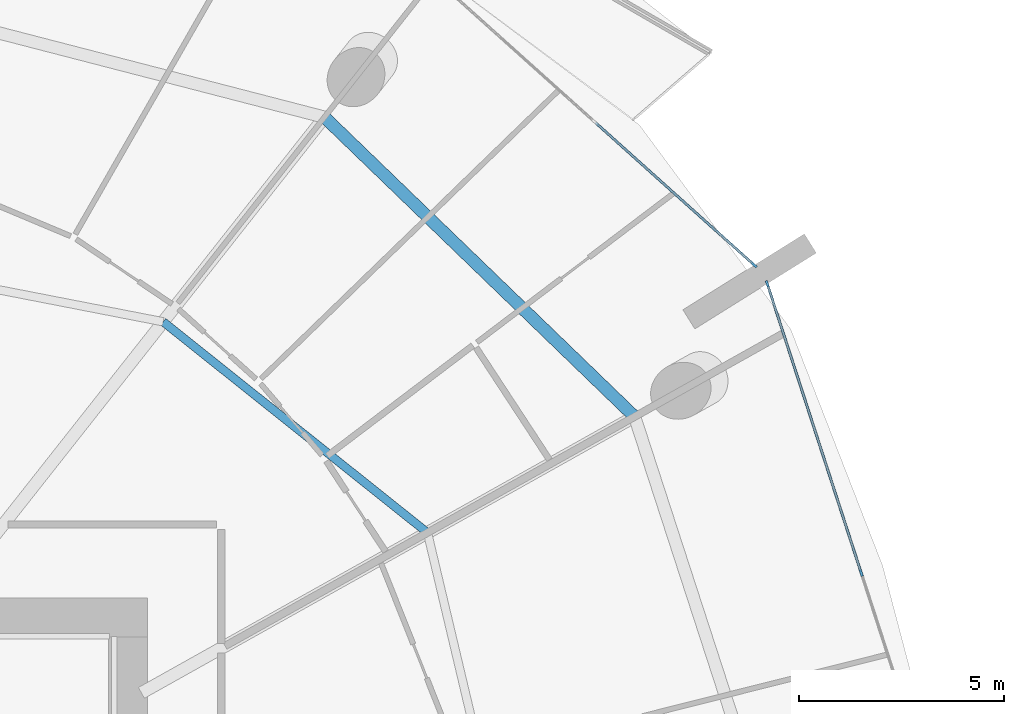
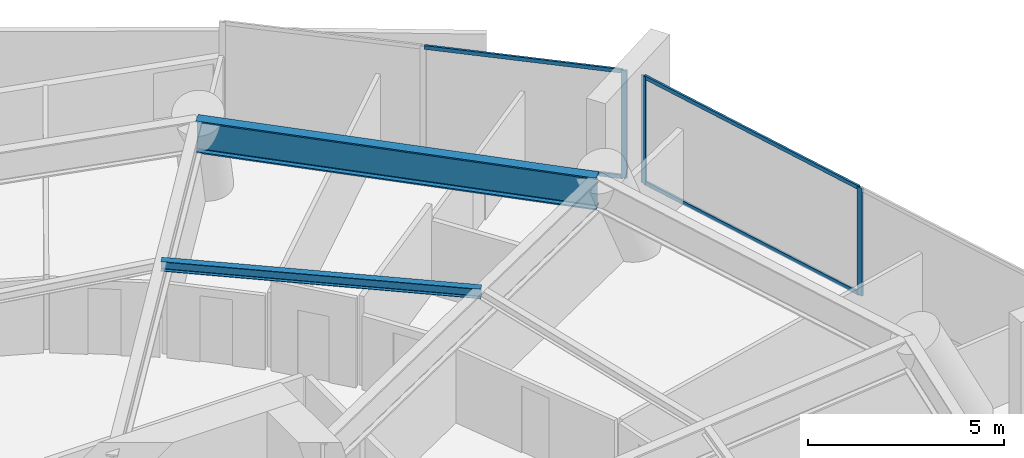
# One storey, part 14 of 31: 7 members, 2 beams, 2 elements without a shape of their own.
"""IFC4 building model written with IfcOpenShell, lengths in metres."""

from ifc_helpers import new_model, si_unit, direction, frame, origin, origin_2d, place, context, subcontext, project, spatial, rectangle, i_section, extrude, material, layer, layer_set, material_profile, profile_set, type_object, element, aggregate, save


model = new_model("IFC4")

# Units and contexts
model_context = context("Model", 3, precision=1e-05, world=origin(), true_north=direction((0.0, 1.0)))
body_context = subcontext(model_context, "Body", "Model", "MODEL_VIEW")
ifc_project = project(units=[si_unit("LENGTHUNIT", "METRE"), si_unit("AREAUNIT", "SQUARE_METRE"), si_unit("VOLUMEUNIT", "CUBIC_METRE"), si_unit("PLANEANGLEUNIT", "RADIAN"), si_unit("MASSUNIT", "GRAM", prefix="KILO")], contexts=[model_context])

# Site, building, storey
site_placement = place(None, origin())
site = spatial("IfcSite", under=ifc_project, at=site_placement, CompositionType="ELEMENT")
building_placement = place(site_placement, origin())
building = spatial("IfcBuilding", under=site, at=building_placement, Name="Kazma Halo Residences", CompositionType="ELEMENT")
storey_placement = place(building_placement, frame((0.0, 0.0, 71.39990234375)))
storey = spatial("IfcBuildingStorey", under=building, at=storey_placement, Name="L17", CompositionType="ELEMENT", Elevation=71.39990234375)

# Beams
ifc_material_1 = material(Name="Steel S355", Category="steel")
ifc_material_profile_1 = material_profile(ifc_material_1, i_section(OverallWidth=0.202880859375, OverallDepth=0.302978515625, WebThickness=0.007568359375, FlangeThickness=0.01318359375, FilletRadius=0.013916015625, at=origin_2d()), Name="W310x60")
ifc_profile_set_1 = profile_set([ifc_material_profile_1], Name="Steel S355")
beam_type_1 = type_object("IfcBeamType", Name="BM-SEC-W310A", PredefinedType="JOIST", material=ifc_profile_set_1)
beam_1_placement = place(storey_placement, frame((66.8408203125, 52.551513671875, 3.198486328125), z_axis=(-0.781666571511, 0.623696537575, 0.0), x_axis=(-0.623696537575, -0.781666571511, 0.0)))
element("IfcBeam", 1, at=beam_1_placement, inside=storey, type_object=beam_type_1, Name="L17 circumferential floor joist 01", PredefinedType="JOIST", context=body_context, shape_type="SweptSolid", body=[
    extrude(i_section(OverallWidth=0.202880859375, OverallDepth=0.302978515625, WebThickness=0.007568359375, FlangeThickness=0.01318359375, FilletRadius=0.013916015625, at=origin_2d()), origin(), (0.0, 0.0, 1.0), 8.263671875),
])
ifc_material_profile_2 = material_profile(ifc_material_1, i_section(OverallWidth=0.300048828125, OverallDepth=1.0, WebThickness=0.01904296875, FlangeThickness=0.0400390625, FilletRadius=0.02587890625, at=origin_2d()), Name="W1000x371")
ifc_profile_set_2 = profile_set([ifc_material_profile_2], Name="Steel S355")
beam_type_2 = type_object("IfcBeamType", Name="BM-TRANS-W1000B", PredefinedType="BEAM", material=ifc_profile_set_2)
beam_2_placement = place(storey_placement, frame((71.9033203125, 55.386474609375, 2.85009765625), z_axis=(-0.719336783114, 0.694661494873, 0.0), x_axis=(-0.694661494873, -0.719336783114, 0.0)))
element("IfcBeam", 2, at=beam_2_placement, inside=storey, type_object=beam_type_2, Name="L17 perimeter ring beam 01", PredefinedType="BEAM", context=body_context, shape_type="SweptSolid", body=[
    extrude(i_section(OverallWidth=0.300048828125, OverallDepth=1.0, WebThickness=0.01904296875, FlangeThickness=0.0400390625, FilletRadius=0.02587890625, at=origin_2d()), origin(), (0.0, 0.0, 1.0), 10.537353515625),
])

# Curtain wall, member
ifc_material_2 = material(Name="Aluminium AW-6063 T6 and Triple-Silver Low-E Glass", Category="aluminium")
ifc_layer = layer(ifc_material_2, 0.159912109375)
ifc_layer_set = layer_set([ifc_layer], Name="Aluminium AW-6063 T6 and Triple-Silver Low-E Glass")
curtain_wall_type = type_object("IfcCurtainWallType", Name="CW-SYS-2", PredefinedType="NOTDEFINED", material=ifc_layer_set)
curtain_wall_1_placement = place(storey_placement, origin())
curtain_wall_1 = element("IfcCurtainWall", 3, at=curtain_wall_1_placement, inside=storey, type_object=curtain_wall_type, Name="L17 unitised curtain wall B01", PredefinedType="NOTDEFINED")
ifc_material_3 = material(Name="Aluminium AW-6063 T6", Category="aluminium")
ifc_material_profile_3 = material_profile(ifc_material_3, rectangle(XDim=0.06005859375, YDim=0.159912109375, at=origin_2d()), Name="CWM-60x160")
ifc_profile_set_3 = profile_set([ifc_material_profile_3], Name="Aluminium AW-6063 T6")
member_type_1 = type_object("IfcMemberType", Name="CW-SYS-2-MUL", PredefinedType="MULLION", material=ifc_profile_set_3)
member_1_placement = place(storey_placement, frame((74.82666015625, 59.091796875, 0.0), z_axis=(0.0, 0.0, 1.0), x_axis=(-0.667821453854, -0.744321506993, 0.0)))
member_1 = element("IfcMember", 4, at=member_1_placement, type_object=member_type_1, Name="CWS-2 mullion 1", PredefinedType="MULLION", context=body_context, shape_type="SweptSolid", body=[
    extrude(rectangle(XDim=0.06005859375, YDim=0.159912109375, at=origin_2d()), origin(), (0.0, 0.0, 1.0), 3.35009765625),
])

# Curtain wall, members
curtain_wall_2_placement = place(storey_placement, origin())
curtain_wall_2 = element("IfcCurtainWall", 5, at=curtain_wall_2_placement, inside=storey, type_object=curtain_wall_type, Name="L17 unitised curtain wall B16", PredefinedType="NOTDEFINED")
member_2_placement = place(storey_placement, frame((77.44189453125, 51.56640625, 0.0), z_axis=(0.0, 0.0, 1.0), x_axis=(-0.95105652404, -0.309016970539, 0.0)))
member_2 = element("IfcMember", 6, at=member_2_placement, type_object=member_type_1, Name="CWS-2 mullion 2", PredefinedType="MULLION", context=body_context, shape_type="SweptSolid", body=[
    extrude(rectangle(XDim=0.06005859375, YDim=0.159912109375, at=origin_2d()), origin(), (0.0, 0.0, 1.0), 3.35009765625),
])
member_3_placement = place(storey_placement, frame((75.145751953125, 58.63330078125, 0.0), z_axis=(0.0, 0.0, 1.0), x_axis=(-0.95105652404, -0.309016970539, 0.0)))
member_3 = element("IfcMember", 7, at=member_3_placement, type_object=member_type_1, Name="CWS-2 mullion 3", PredefinedType="MULLION", context=body_context, shape_type="SweptSolid", body=[
    extrude(rectangle(XDim=0.06005859375, YDim=0.159912109375, at=origin_2d()), origin(), (0.0, 0.0, 1.0), 3.35009765625),
])

# Member
ifc_material_profile_4 = material_profile(ifc_material_3, rectangle(XDim=0.06005859375, YDim=0.1201171875, at=origin_2d()), Name="CWT-60x120")
ifc_profile_set_4 = profile_set([ifc_material_profile_4], Name="Aluminium AW-6063 T6")
member_type_2 = type_object("IfcMemberType", Name="CW-SYS-2-TRN", PredefinedType="USERDEFINED", material=ifc_profile_set_4)
member_4_placement = place(storey_placement, frame((74.80419921875, 59.11181640625, 0.030029296875), z_axis=(-0.744329408538, 0.66781264707, 0.0), x_axis=(-0.66781264707, -0.744329408538, 0.0)))
member_4 = element("IfcMember", 8, at=member_4_placement, type_object=member_type_2, Name="CWS-2 transom 1.1", ObjectType="TRANSOM", PredefinedType="USERDEFINED", context=body_context, shape_type="SweptSolid", body=[
    extrude(rectangle(XDim=0.06005859375, YDim=0.1201171875, at=origin_2d()), origin(), (0.0, 0.0, 1.0), 5.178466796875),
])

member_5_placement = place(storey_placement, frame((74.80419921875, 59.11181640625, 3.320068359375), z_axis=(-0.744329408538, 0.66781264707, 0.0), x_axis=(-0.66781264707, -0.744329408538, 0.0)))
member_5 = element("IfcMember", 9, at=member_5_placement, type_object=member_type_2, Name="CWS-2 transom 1.2", ObjectType="TRANSOM", PredefinedType="USERDEFINED", context=body_context, shape_type="SweptSolid", body=[
    extrude(rectangle(XDim=0.06005859375, YDim=0.1201171875, at=origin_2d()), origin(), (0.0, 0.0, 1.0), 5.178466796875),
])

aggregate(curtain_wall_1, [member_1, member_4, member_5])

member_6_placement = place(storey_placement, frame((77.4326171875, 51.5947265625, 0.030029296875), z_axis=(-0.309004433966, 0.951060597328, 0.0), x_axis=(-0.951060597328, -0.309004433966, 0.0)))
member_6 = element("IfcMember", 10, at=member_6_placement, type_object=member_type_2, Name="CWS-2 transom 2.1", ObjectType="TRANSOM", PredefinedType="USERDEFINED", context=body_context, shape_type="SweptSolid", body=[
    extrude(rectangle(XDim=0.06005859375, YDim=0.1201171875, at=origin_2d()), origin(), (0.0, 0.0, 1.0), 7.370849609375),
])

member_7_placement = place(storey_placement, frame((77.4326171875, 51.5947265625, 3.320068359375), z_axis=(-0.309004433966, 0.951060597328, 0.0), x_axis=(-0.951060597328, -0.309004433966, 0.0)))
member_7 = element("IfcMember", 11, at=member_7_placement, type_object=member_type_2, Name="CWS-2 transom 2.2", ObjectType="TRANSOM", PredefinedType="USERDEFINED", context=body_context, shape_type="SweptSolid", body=[
    extrude(rectangle(XDim=0.06005859375, YDim=0.1201171875, at=origin_2d()), origin(), (0.0, 0.0, 1.0), 7.370849609375),
])

aggregate(curtain_wall_2, [member_2, member_3, member_6, member_7])

save(model, "model.ifc")
